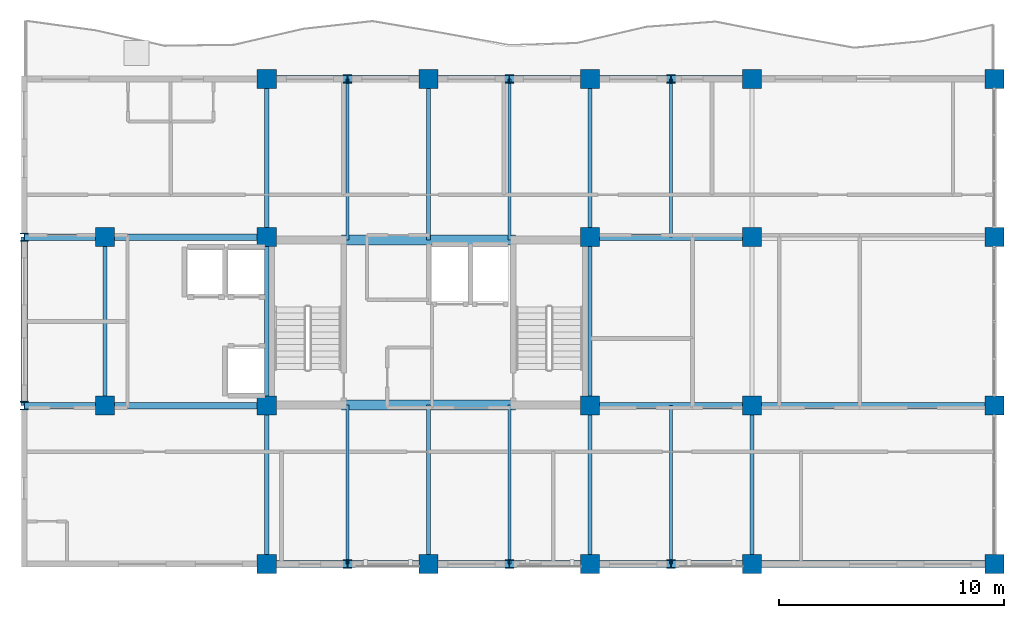
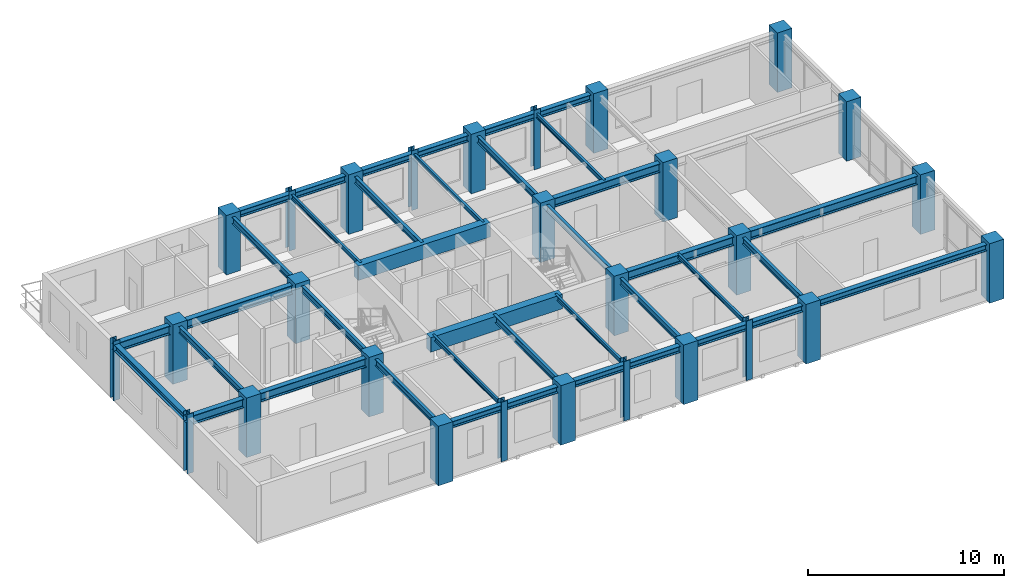
# One storey, part 1 of 11: 39 beams, 28 columns.
"""IFC4 building model written with IfcOpenShell, lengths in metres."""

from ifc_helpers import new_model, si_unit, direction, frame, origin, origin_2d, place, context, subcontext, project, spatial, rectangle, i_section, extrude, source, transform, mapped, material, material_profile, profile_set, type_object, element, save


model = new_model("IFC4")

# Units and contexts
model_context = context("Model", 3, precision=1e-05, world=origin(), true_north=direction((0.0, 1.0)))
body_context = subcontext(model_context, "Body", "Model", "MODEL_VIEW")
ifc_project = project(units=[si_unit("LENGTHUNIT", "METRE"), si_unit("AREAUNIT", "SQUARE_METRE"), si_unit("VOLUMEUNIT", "CUBIC_METRE"), si_unit("PLANEANGLEUNIT", "RADIAN"), si_unit("MASSUNIT", "GRAM", prefix="KILO")], contexts=[model_context])

# Site, building, storey
site_placement = place(None, origin())
site = spatial("IfcSite", under=ifc_project, at=site_placement, CompositionType="ELEMENT")
building_placement = place(site_placement, origin())
building = spatial("IfcBuilding", under=site, at=building_placement, Name="Kaliganga Portal Commons", CompositionType="ELEMENT")
storey_placement = place(building_placement, frame((0.0, 0.0, 264.699951171875)))
storey = spatial("IfcBuildingStorey", under=building, at=storey_placement, Name="L68", CompositionType="ELEMENT", Elevation=264.699951171875)

# Columns
ifc_material_1 = material(Name="Concrete C50/60", Category="concrete")
ifc_material_profile_1 = material_profile(ifc_material_1, rectangle(XDim=0.85009765625, YDim=0.85009765625, at=origin_2d()), Name="RC 850x850")
ifc_profile_set_1 = profile_set([ifc_material_profile_1], Name="Concrete C50/60")
column_type_1 = type_object("IfcColumnType", Name="COL-MEGA-Z5", PredefinedType="COLUMN", material=ifc_profile_set_1)
shared_shape_1 = source(origin(), body_context, "Body", "SweptSolid", [
    extrude(rectangle(XDim=0.85009765625, YDim=0.85009765625, at=origin_2d()), origin(), (0.0, 0.0, 1.0), 3.699951171875),
])
for number, where, z_axis, x_axis, name in (
    (1, (7.199951171875, 28.64990234375, 0.0), (0.0, 0.0, 1.0), (1.0, 0.0, 0.0), "Column MC-06 L68"),
    (2, (7.199951171875, 36.14990234375, 0.0), (0.0, 0.0, 1.0), (1.0, 0.0, 0.0), "Column MC-06 L68"),
    (3, (14.39990234375, 21.60009765625, 0.0), (0.0, 0.0, 1.0), (1.0, 0.0, 0.0), "Column MC-06 L68"),
    (4, (14.39990234375, 28.64990234375, 0.0), (0.0, 0.0, 1.0), (1.0, 0.0, 0.0), "Column MC-06 L68"),
    (5, (14.39990234375, 36.14990234375, 0.0), (0.0, 0.0, 1.0), (1.0, 0.0, 0.0), "Column MC-06 L68"),
    (6, (14.39990234375, 43.199951171875, 0.0), (0.0, 0.0, 1.0), (1.0, 0.0, 0.0), "Column MC-06 L68"),
    (7, (21.60009765625, 21.60009765625, 0.0), (0.0, 0.0, 1.0), (1.0, 0.0, 0.0), "Column MC-06 L68"),
    (8, (21.60009765625, 43.199951171875, 0.0), (0.0, 0.0, 1.0), (1.0, 0.0, 0.0), "Column MC-06 L68"),
    (9, (28.800048828125, 21.60009765625, 0.0), (0.0, 0.0, 1.0), (1.0, 0.0, 0.0), "Column MC-06 L68"),
    (10, (28.800048828125, 28.64990234375, 0.0), (0.0, 0.0, 1.0), (1.0, 0.0, 0.0), "Column MC-06 L68"),
    (11, (28.800048828125, 36.14990234375, 0.0), (0.0, 0.0, 1.0), (1.0, 0.0, 0.0), "Column MC-06 L68"),
    (12, (28.800048828125, 43.199951171875, 0.0), (0.0, 0.0, 1.0), (1.0, 0.0, 0.0), "Column MC-06 L68"),
    (13, (36.0, 21.60009765625, 0.0), (0.0, 0.0, 1.0), (1.0, 0.0, 0.0), "Column MC-06 L68"),
    (14, (36.0, 43.199951171875, 0.0), (0.0, 0.0, 1.0), (1.0, 0.0, 0.0), "Column MC-06 L68"),
    (15, (36.0, 28.64990234375, 0.0), (0.0, 0.0, 1.0), (1.0, 0.0, 0.0), "Column MC-06 L68"),
    (16, (36.0, 36.14990234375, 0.0), (0.0, 0.0, 1.0), (1.0, 0.0, 0.0), "Column MC-06 L68"),
    (17, (46.800048828125, 21.60009765625, 0.0), (0.0, 0.0, 1.0), (1.0, 0.0, 0.0), "Column MC-06 L68"),
    (18, (46.800048828125, 28.64990234375, 0.0), (0.0, 0.0, 1.0), (1.0, 0.0, 0.0), "Column MC-06 L68"),
    (19, (46.800048828125, 36.14990234375, 0.0), (0.0, 0.0, 1.0), (1.0, 0.0, 0.0), "Column MC-06 L68"),
    (20, (46.800048828125, 43.199951171875, 0.0), (0.0, 0.0, 1.0), (1.0, 0.0, 0.0), "Column MC-06 L68"),
):
    element("IfcColumn", number, at=place(storey_placement, frame(where, z_axis=z_axis, x_axis=x_axis)), inside=storey, type_object=column_type_1, Name=name, PredefinedType="COLUMN", context=body_context, shape_type="MappedRepresentation", body=[
        mapped(shared_shape_1, transform((0.0, 0.0, 0.0), x_axis=(1.0, 0.0, 0.0), y_axis=(0.0, 1.0, 0.0), z_axis=(0.0, 0.0, 1.0), scale=1.0)),
    ])
ifc_material_2 = material(Name="Structural steel S355J2", Category="steel")
ifc_material_profile_2 = material_profile(ifc_material_2, i_section(OverallWidth=0.3740234375, OverallDepth=0.3720703125, WebThickness=0.014892578125, FlangeThickness=0.02587890625, FilletRadius=0.014892578125, at=origin_2d()), Name="HD 360x196")
ifc_profile_set_2 = profile_set([ifc_material_profile_2], Name="Structural steel S355J2 wide-flange")
column_type_2 = type_object("IfcColumnType", Name="COL-TUBE-B5", PredefinedType="COLUMN", material=ifc_profile_set_2)
shared_shape_2 = source(origin(), body_context, "Body", "SweptSolid", [
    extrude(i_section(OverallWidth=0.3740234375, OverallDepth=0.3720703125, WebThickness=0.014892578125, FlangeThickness=0.02587890625, FilletRadius=0.014892578125, at=origin_2d()), origin(), (0.0, 0.0, 1.0), 3.699951171875),
])
for number, where, z_axis, x_axis, name in (
    (21, (3.60009765625, 28.64990234375, 0.0), (0.0, 0.0, 1.0), (1.0, 0.0, 0.0), "Column TC-05 L68"),
    (22, (3.60009765625, 36.14990234375, 0.0), (0.0, 0.0, 1.0), (1.0, 0.0, 0.0), "Column TC-05 L68"),
    (23, (18.0, 21.60009765625, 0.0), (0.0, 0.0, 1.0), (1.0, 0.0, 0.0), "Column TC-05 L68"),
    (24, (18.0, 43.199951171875, 0.0), (0.0, 0.0, 1.0), (1.0, 0.0, 0.0), "Column TC-05 L68"),
    (25, (25.199951171875, 21.60009765625, 0.0), (0.0, 0.0, 1.0), (1.0, 0.0, 0.0), "Column TC-05 L68"),
    (26, (25.199951171875, 43.199951171875, 0.0), (0.0, 0.0, 1.0), (1.0, 0.0, 0.0), "Column TC-05 L68"),
    (27, (32.39990234375, 21.60009765625, 0.0), (0.0, 0.0, 1.0), (1.0, 0.0, 0.0), "Column TC-05 L68"),
    (28, (32.39990234375, 43.199951171875, 0.0), (0.0, 0.0, 1.0), (1.0, 0.0, 0.0), "Column TC-05 L68"),
):
    element("IfcColumn", number, at=place(storey_placement, frame(where, z_axis=z_axis, x_axis=x_axis)), inside=storey, type_object=column_type_2, Name=name, PredefinedType="COLUMN", context=body_context, shape_type="MappedRepresentation", body=[
        mapped(shared_shape_2, transform((0.0, 0.0, 0.0), x_axis=(1.0, 0.0, 0.0), y_axis=(0.0, 1.0, 0.0), z_axis=(0.0, 0.0, 1.0), scale=1.0)),
    ])

# Beams
ifc_material_profile_3 = material_profile(ifc_material_1, rectangle(XDim=0.449951171875, YDim=0.89990234375, at=origin_2d()), Name="RC 450x900")
ifc_profile_set_3 = profile_set([ifc_material_profile_3], Name="Concrete C50/60")
beam_type_1 = type_object("IfcBeamType", Name="BM-CPL-900", PredefinedType="LINTEL", material=ifc_profile_set_3)
shared_shape_3 = source(origin(), body_context, "Body", "SweptSolid", [
    extrude(rectangle(XDim=0.449951171875, YDim=0.89990234375, at=origin_2d()), origin(), (0.0, 0.0, 1.0), 7.739990234375),
])
for number, where, z_axis, x_axis, name in (
    (29, (17.72998046875, 28.675048828125, 3.025146484375), (1.0, 0.0, 0.0), (0.0, 1.0, 0.0), "BM CPL COREA L68 S"),
    (30, (17.72998046875, 36.02490234375, 3.025146484375), (1.0, 0.0, 0.0), (0.0, 1.0, 0.0), "BM CPL COREA L68 N"),
):
    element("IfcBeam", number, at=place(storey_placement, frame(where, z_axis=z_axis, x_axis=x_axis)), inside=storey, type_object=beam_type_1, Name=name, PredefinedType="LINTEL", context=body_context, shape_type="MappedRepresentation", body=[
        mapped(shared_shape_3, transform((0.0, 0.0, 0.0), x_axis=(1.0, 0.0, 0.0), y_axis=(0.0, 1.0, 0.0), z_axis=(0.0, 0.0, 1.0), scale=1.0)),
    ])
ifc_material_profile_4 = material_profile(ifc_material_2, i_section(OverallWidth=0.300048828125, OverallDepth=0.39990234375, WebThickness=0.013427734375, FlangeThickness=0.02392578125, FilletRadius=0.027099609375, at=origin_2d()), Name="HE 400 B")
ifc_profile_set_4 = profile_set([ifc_material_profile_4], Name="Structural steel S355J2 wide-flange")
beam_type_2 = type_object("IfcBeamType", Name="BM-SPAND-400", PredefinedType="SPANDREL", material=ifc_profile_set_4)
shared_shape_4 = source(origin(), body_context, "Body", "SweptSolid", [
    extrude(i_section(OverallWidth=0.300048828125, OverallDepth=0.39990234375, WebThickness=0.013427734375, FlangeThickness=0.02392578125, FilletRadius=0.027099609375, at=origin_2d()), origin(), (0.0, 0.0, 1.0), 3.60009765625),
])
for number, where, z_axis, x_axis, name in (
    (31, (14.39990234375, 43.199951171875, 3.275146484375), (1.0, 0.0, 0.0), (0.0, 1.0, 0.0), "BM SP L68 AN 1"),
    (32, (18.0, 43.199951171875, 3.275146484375), (1.0, 0.0, 0.0), (0.0, 1.0, 0.0), "BM SP L68 AN 2"),
    (33, (25.199951171875, 43.199951171875, 3.275146484375), (1.0, 0.0, 0.0), (0.0, 1.0, 0.0), "BM SP L68 AN 4"),
    (34, (32.39990234375, 43.199951171875, 3.275146484375), (1.0, 0.0, 0.0), (0.0, 1.0, 0.0), "BM SP L68 AN 6"),
    (35, (14.39990234375, 21.60009765625, 3.275146484375), (1.0, 0.0, 0.0), (0.0, 1.0, 0.0), "BM SP L68 AS 1"),
    (36, (18.0, 21.60009765625, 3.275146484375), (1.0, 0.0, 0.0), (0.0, 1.0, 0.0), "BM SP L68 AS 2"),
    (37, (25.199951171875, 21.60009765625, 3.275146484375), (1.0, 0.0, 0.0), (0.0, 1.0, 0.0), "BM SP L68 AS 4"),
    (38, (32.39990234375, 21.60009765625, 3.275146484375), (1.0, 0.0, 0.0), (0.0, 1.0, 0.0), "BM SP L68 AS 6"),
):
    element("IfcBeam", number, at=place(storey_placement, frame(where, z_axis=z_axis, x_axis=x_axis)), inside=storey, type_object=beam_type_2, Name=name, PredefinedType="SPANDREL", context=body_context, shape_type="MappedRepresentation", body=[
        mapped(shared_shape_4, transform((0.0, 0.0, 0.0), x_axis=(1.0, 0.0, 0.0), y_axis=(0.0, 1.0, 0.0), z_axis=(0.0, 0.0, 1.0), scale=1.0)),
    ])
shared_shape_5 = source(origin(), body_context, "Body", "SweptSolid", [
    extrude(i_section(OverallWidth=0.300048828125, OverallDepth=0.39990234375, WebThickness=0.013427734375, FlangeThickness=0.02392578125, FilletRadius=0.027099609375, at=origin_2d()), origin(), (0.0, 0.0, 1.0), 3.599853515625),
])
for number, where, z_axis, x_axis, name in (
    (39, (21.60009765625, 43.199951171875, 3.275146484375), (1.0, 0.0, 0.0), (0.0, 1.0, 0.0), "BM SP L68 AN 3"),
    (40, (28.800048828125, 43.199951171875, 3.275146484375), (1.0, 0.0, 0.0), (0.0, 1.0, 0.0), "BM SP L68 AN 5"),
    (41, (21.60009765625, 21.60009765625, 3.275146484375), (1.0, 0.0, 0.0), (0.0, 1.0, 0.0), "BM SP L68 AS 3"),
    (42, (28.800048828125, 21.60009765625, 3.275146484375), (1.0, 0.0, 0.0), (0.0, 1.0, 0.0), "BM SP L68 AS 5"),
):
    element("IfcBeam", number, at=place(storey_placement, frame(where, z_axis=z_axis, x_axis=x_axis)), inside=storey, type_object=beam_type_2, Name=name, PredefinedType="SPANDREL", context=body_context, shape_type="MappedRepresentation", body=[
        mapped(shared_shape_5, transform((0.0, 0.0, 0.0), x_axis=(1.0, 0.0, 0.0), y_axis=(0.0, 1.0, 0.0), z_axis=(0.0, 0.0, 1.0), scale=1.0)),
    ])
shared_shape_6 = source(origin(), body_context, "Body", "SweptSolid", [
    extrude(i_section(OverallWidth=0.300048828125, OverallDepth=0.39990234375, WebThickness=0.013427734375, FlangeThickness=0.02392578125, FilletRadius=0.027099609375, at=origin_2d()), origin(), (0.0, 0.0, 1.0), 10.800048828125),
])
beam_1_placement = place(storey_placement, frame((36.0, 21.60009765625, 3.275146484375), z_axis=(1.0, 0.0, 0.0), x_axis=(0.0, 1.0, 0.0)))
element("IfcBeam", 43, at=beam_1_placement, inside=storey, type_object=beam_type_2, Name="BM SP L68 AS 7", PredefinedType="SPANDREL", context=body_context, shape_type="MappedRepresentation", body=[
    mapped(shared_shape_6, transform((0.0, 0.0, 0.0), x_axis=(1.0, 0.0, 0.0), y_axis=(0.0, 1.0, 0.0), z_axis=(0.0, 0.0, 1.0), scale=1.0)),
])
ifc_material_profile_5 = material_profile(ifc_material_2, i_section(OverallWidth=0.300048828125, OverallDepth=0.550048828125, WebThickness=0.014892578125, FlangeThickness=0.029052734375, FilletRadius=0.027099609375, at=origin_2d()), Name="HE 550 B")
ifc_profile_set_5 = profile_set([ifc_material_profile_5], Name="Structural steel S355J2 wide-flange")
beam_type_3 = type_object("IfcBeamType", Name="BM-GIRD-550", PredefinedType="USERDEFINED", material=ifc_profile_set_5)
shared_shape_7 = source(origin(), body_context, "Body", "SweptSolid", [
    extrude(i_section(OverallWidth=0.300048828125, OverallDepth=0.550048828125, WebThickness=0.014892578125, FlangeThickness=0.029052734375, FilletRadius=0.027099609375, at=origin_2d()), origin(), (0.0, 0.0, 1.0), 7.199951171875),
])
for number, where, z_axis, x_axis, name in (
    (44, (7.199951171875, 28.64990234375, 3.199951171875), (1.0, 0.0, 0.0), (0.0, 1.0, 0.0), "BM G L68 WAH_S 2"),
    (45, (7.199951171875, 36.14990234375, 3.199951171875), (1.0, 0.0, 0.0), (0.0, 1.0, 0.0), "BM G L68 WAH_N 2"),
    (46, (28.800048828125, 28.64990234375, 3.199951171875), (1.0, 0.0, 0.0), (0.0, 1.0, 0.0), "BM G L68 WAE_S 1"),
    (47, (28.800048828125, 36.14990234375, 3.199951171875), (1.0, 0.0, 0.0), (0.0, 1.0, 0.0), "BM G L68 WAE_N 1"),
):
    element("IfcBeam", number, at=place(storey_placement, frame(where, z_axis=z_axis, x_axis=x_axis)), inside=storey, type_object=beam_type_3, Name=name, ObjectType="GIRDER", PredefinedType="USERDEFINED", context=body_context, shape_type="MappedRepresentation", body=[
        mapped(shared_shape_7, transform((0.0, 0.0, 0.0), x_axis=(1.0, 0.0, 0.0), y_axis=(0.0, 1.0, 0.0), z_axis=(0.0, 0.0, 1.0), scale=1.0)),
    ])
shared_shape_8 = source(origin(), body_context, "Body", "SweptSolid", [
    extrude(i_section(OverallWidth=0.300048828125, OverallDepth=0.550048828125, WebThickness=0.014892578125, FlangeThickness=0.029052734375, FilletRadius=0.027099609375, at=origin_2d()), origin(), (0.0, 0.0, 1.0), 10.800048828125),
])
beam_2_placement = place(storey_placement, frame((36.0, 28.64990234375, 3.199951171875), z_axis=(1.0, 0.0, 0.0), x_axis=(0.0, 1.0, 0.0)))
element("IfcBeam", 48, at=beam_2_placement, inside=storey, type_object=beam_type_3, Name="BM G L68 WAE_S 2", ObjectType="GIRDER", PredefinedType="USERDEFINED", context=body_context, shape_type="MappedRepresentation", body=[
    mapped(shared_shape_8, transform((0.0, 0.0, 0.0), x_axis=(1.0, 0.0, 0.0), y_axis=(0.0, 1.0, 0.0), z_axis=(0.0, 0.0, 1.0), scale=1.0)),
])
shared_shape_9 = source(origin(), body_context, "Body", "SweptSolid", [
    extrude(i_section(OverallWidth=0.300048828125, OverallDepth=0.550048828125, WebThickness=0.014892578125, FlangeThickness=0.029052734375, FilletRadius=0.027099609375, at=origin_2d()), origin(), (0.0, 0.0, 1.0), 3.599853515625),
])
for number, where, z_axis, x_axis, name in (
    (49, (3.60009765625, 28.64990234375, 3.199951171875), (1.0, 0.0, 0.0), (0.0, 1.0, 0.0), "BM G L68 WAH_S 1"),
    (50, (3.60009765625, 36.14990234375, 3.199951171875), (1.0, 0.0, 0.0), (0.0, 1.0, 0.0), "BM G L68 WAH_N 1"),
):
    element("IfcBeam", number, at=place(storey_placement, frame(where, z_axis=z_axis, x_axis=x_axis)), inside=storey, type_object=beam_type_3, Name=name, ObjectType="GIRDER", PredefinedType="USERDEFINED", context=body_context, shape_type="MappedRepresentation", body=[
        mapped(shared_shape_9, transform((0.0, 0.0, 0.0), x_axis=(1.0, 0.0, 0.0), y_axis=(0.0, 1.0, 0.0), z_axis=(0.0, 0.0, 1.0), scale=1.0)),
    ])
shared_shape_10 = source(origin(), body_context, "Body", "SweptSolid", [
    extrude(i_section(OverallWidth=0.300048828125, OverallDepth=0.39990234375, WebThickness=0.013427734375, FlangeThickness=0.02392578125, FilletRadius=0.027099609375, at=origin_2d()), origin(), (0.0, 0.0, 1.0), 7.5),
])
beam_3_placement = place(storey_placement, frame((3.60009765625, 28.64990234375, 3.275146484375), z_axis=(0.0, 1.0, 0.0), x_axis=(-1.0, 0.0, 0.0)))
element("IfcBeam", 51, at=beam_3_placement, inside=storey, type_object=beam_type_2, Name="BM SP L68 AW", PredefinedType="SPANDREL", context=body_context, shape_type="MappedRepresentation", body=[
    mapped(shared_shape_10, transform((0.0, 0.0, 0.0), x_axis=(1.0, 0.0, 0.0), y_axis=(0.0, 1.0, 0.0), z_axis=(0.0, 0.0, 1.0), scale=1.0)),
])
ifc_material_profile_6 = material_profile(ifc_material_2, i_section(OverallWidth=0.135009765625, OverallDepth=0.27001953125, WebThickness=0.006591796875, FlangeThickness=0.01025390625, FilletRadius=0.014892578125, at=origin_2d()), Name="IPE 270")
ifc_profile_set_6 = profile_set([ifc_material_profile_6], Name="Structural steel S355J2 wide-flange")
beam_type_4 = type_object("IfcBeamType", Name="BM-JST-270", PredefinedType="JOIST", material=ifc_profile_set_6)
shared_shape_11 = source(origin(), body_context, "Body", "SweptSolid", [
    extrude(i_section(OverallWidth=0.135009765625, OverallDepth=0.27001953125, WebThickness=0.006591796875, FlangeThickness=0.01025390625, FilletRadius=0.014892578125, at=origin_2d()), origin(), (0.0, 0.0, 1.0), 7.175048828125),
])
for number, where, z_axis, x_axis, name in (
    (52, (18.0, 36.02490234375, 3.340087890625), (0.0, 1.0, 0.0), (-1.0, 0.0, 0.0), "BM G L68 AN180"),
    (53, (25.199951171875, 36.02490234375, 3.340087890625), (0.0, 1.0, 0.0), (-1.0, 0.0, 0.0), "BM G L68 AN252"),
):
    element("IfcBeam", number, at=place(storey_placement, frame(where, z_axis=z_axis, x_axis=x_axis)), inside=storey, type_object=beam_type_4, Name=name, PredefinedType="JOIST", context=body_context, shape_type="MappedRepresentation", body=[
        mapped(shared_shape_11, transform((0.0, 0.0, 0.0), x_axis=(1.0, 0.0, 0.0), y_axis=(0.0, 1.0, 0.0), z_axis=(0.0, 0.0, 1.0), scale=1.0)),
    ])
shared_shape_12 = source(origin(), body_context, "Body", "SweptSolid", [
    extrude(i_section(OverallWidth=0.135009765625, OverallDepth=0.27001953125, WebThickness=0.006591796875, FlangeThickness=0.01025390625, FilletRadius=0.014892578125, at=origin_2d()), origin(), (0.0, 0.0, 1.0), 7.074951171875),
])
for number, where, z_axis, x_axis, name in (
    (54, (18.0, 21.60009765625, 3.340087890625), (0.0, 1.0, 0.0), (-1.0, 0.0, 0.0), "BM G L68 AS180"),
    (55, (25.199951171875, 21.60009765625, 3.340087890625), (0.0, 1.0, 0.0), (-1.0, 0.0, 0.0), "BM G L68 AS252"),
):
    element("IfcBeam", number, at=place(storey_placement, frame(where, z_axis=z_axis, x_axis=x_axis)), inside=storey, type_object=beam_type_4, Name=name, PredefinedType="JOIST", context=body_context, shape_type="MappedRepresentation", body=[
        mapped(shared_shape_12, transform((0.0, 0.0, 0.0), x_axis=(1.0, 0.0, 0.0), y_axis=(0.0, 1.0, 0.0), z_axis=(0.0, 0.0, 1.0), scale=1.0)),
    ])
shared_shape_13 = source(origin(), body_context, "Body", "SweptSolid", [
    extrude(i_section(OverallWidth=0.135009765625, OverallDepth=0.27001953125, WebThickness=0.006591796875, FlangeThickness=0.01025390625, FilletRadius=0.014892578125, at=origin_2d()), origin(), (0.0, 0.0, 1.0), 7.050048828125),
])
beam_4_placement = place(storey_placement, frame((32.39990234375, 36.14990234375, 3.340087890625), z_axis=(0.0, 1.0, 0.0), x_axis=(-1.0, 0.0, 0.0)))
element("IfcBeam", 56, at=beam_4_placement, inside=storey, type_object=beam_type_4, Name="BM G L68 AN324", PredefinedType="JOIST", context=body_context, shape_type="MappedRepresentation", body=[
    mapped(shared_shape_13, transform((0.0, 0.0, 0.0), x_axis=(1.0, 0.0, 0.0), y_axis=(0.0, 1.0, 0.0), z_axis=(0.0, 0.0, 1.0), scale=1.0)),
])
shared_shape_14 = source(origin(), body_context, "Body", "SweptSolid", [
    extrude(i_section(OverallWidth=0.135009765625, OverallDepth=0.27001953125, WebThickness=0.006591796875, FlangeThickness=0.01025390625, FilletRadius=0.014892578125, at=origin_2d()), origin(), (0.0, 0.0, 1.0), 7.0498046875),
])
beam_5_placement = place(storey_placement, frame((32.39990234375, 21.60009765625, 3.340087890625), z_axis=(0.0, 1.0, 0.0), x_axis=(-1.0, 0.0, 0.0)))
element("IfcBeam", 57, at=beam_5_placement, inside=storey, type_object=beam_type_4, Name="BM G L68 AS324", PredefinedType="JOIST", context=body_context, shape_type="MappedRepresentation", body=[
    mapped(shared_shape_14, transform((0.0, 0.0, 0.0), x_axis=(1.0, 0.0, 0.0), y_axis=(0.0, 1.0, 0.0), z_axis=(0.0, 0.0, 1.0), scale=1.0)),
])
ifc_material_profile_7 = material_profile(ifc_material_2, i_section(OverallWidth=0.179931640625, OverallDepth=0.39990234375, WebThickness=0.008544921875, FlangeThickness=0.013427734375, FilletRadius=0.02099609375, at=origin_2d()), Name="IPE 400")
ifc_profile_set_7 = profile_set([ifc_material_profile_7], Name="Structural steel S355J2 wide-flange")
beam_type_5 = type_object("IfcBeamType", Name="BM-FLR-400", PredefinedType="BEAM", material=ifc_profile_set_7)
shared_shape_15 = source(origin(), body_context, "Body", "SweptSolid", [
    extrude(i_section(OverallWidth=0.179931640625, OverallDepth=0.39990234375, WebThickness=0.008544921875, FlangeThickness=0.013427734375, FilletRadius=0.02099609375, at=origin_2d()), origin(), (0.0, 0.0, 1.0), 7.5),
])
for number, where, z_axis, x_axis, name in (
    (58, (7.199951171875, 28.64990234375, 3.275146484375), (0.0, 1.0, 0.0), (-1.0, 0.0, 0.0), "BM G L68 AW72"),
    (59, (14.39990234375, 28.64990234375, 3.275146484375), (0.0, 1.0, 0.0), (-1.0, 0.0, 0.0), "BM G L68 AM144"),
    (60, (28.800048828125, 28.64990234375, 3.275146484375), (0.0, 1.0, 0.0), (-1.0, 0.0, 0.0), "BM G L68 AM288"),
):
    element("IfcBeam", number, at=place(storey_placement, frame(where, z_axis=z_axis, x_axis=x_axis)), inside=storey, type_object=beam_type_5, Name=name, PredefinedType="BEAM", context=body_context, shape_type="MappedRepresentation", body=[
        mapped(shared_shape_15, transform((0.0, 0.0, 0.0), x_axis=(1.0, 0.0, 0.0), y_axis=(0.0, 1.0, 0.0), z_axis=(0.0, 0.0, 1.0), scale=1.0)),
    ])
shared_shape_16 = source(origin(), body_context, "Body", "SweptSolid", [
    extrude(i_section(OverallWidth=0.179931640625, OverallDepth=0.39990234375, WebThickness=0.008544921875, FlangeThickness=0.013427734375, FilletRadius=0.02099609375, at=origin_2d()), origin(), (0.0, 0.0, 1.0), 7.050048828125),
])
for number, where, z_axis, x_axis, name in (
    (61, (14.39990234375, 36.14990234375, 3.275146484375), (0.0, 1.0, 0.0), (-1.0, 0.0, 0.0), "BM G L68 AN144"),
    (62, (28.800048828125, 36.14990234375, 3.275146484375), (0.0, 1.0, 0.0), (-1.0, 0.0, 0.0), "BM G L68 AN288"),
):
    element("IfcBeam", number, at=place(storey_placement, frame(where, z_axis=z_axis, x_axis=x_axis)), inside=storey, type_object=beam_type_5, Name=name, PredefinedType="BEAM", context=body_context, shape_type="MappedRepresentation", body=[
        mapped(shared_shape_16, transform((0.0, 0.0, 0.0), x_axis=(1.0, 0.0, 0.0), y_axis=(0.0, 1.0, 0.0), z_axis=(0.0, 0.0, 1.0), scale=1.0)),
    ])
shared_shape_17 = source(origin(), body_context, "Body", "SweptSolid", [
    extrude(i_section(OverallWidth=0.179931640625, OverallDepth=0.39990234375, WebThickness=0.008544921875, FlangeThickness=0.013427734375, FilletRadius=0.02099609375, at=origin_2d()), origin(), (0.0, 0.0, 1.0), 7.0498046875),
])
for number, where, z_axis, x_axis, name in (
    (63, (14.39990234375, 21.60009765625, 3.275146484375), (0.0, 1.0, 0.0), (-1.0, 0.0, 0.0), "BM G L68 AS144"),
    (64, (28.800048828125, 21.60009765625, 3.275146484375), (0.0, 1.0, 0.0), (-1.0, 0.0, 0.0), "BM G L68 AS288"),
    (65, (36.0, 21.60009765625, 3.275146484375), (0.0, 1.0, 0.0), (-1.0, 0.0, 0.0), "BM G L68 AS360"),
):
    element("IfcBeam", number, at=place(storey_placement, frame(where, z_axis=z_axis, x_axis=x_axis)), inside=storey, type_object=beam_type_5, Name=name, PredefinedType="BEAM", context=body_context, shape_type="MappedRepresentation", body=[
        mapped(shared_shape_17, transform((0.0, 0.0, 0.0), x_axis=(1.0, 0.0, 0.0), y_axis=(0.0, 1.0, 0.0), z_axis=(0.0, 0.0, 1.0), scale=1.0)),
    ])
shared_shape_18 = source(origin(), body_context, "Body", "SweptSolid", [
    extrude(i_section(OverallWidth=0.179931640625, OverallDepth=0.39990234375, WebThickness=0.008544921875, FlangeThickness=0.013427734375, FilletRadius=0.02099609375, at=origin_2d()), origin(), (0.0, 0.0, 1.0), 7.175048828125),
])
beam_6_placement = place(storey_placement, frame((21.60009765625, 36.02490234375, 3.275146484375), z_axis=(0.0, 1.0, 0.0), x_axis=(-1.0, 0.0, 0.0)))
element("IfcBeam", 66, at=beam_6_placement, inside=storey, type_object=beam_type_5, Name="BM G L68 AN216", PredefinedType="BEAM", context=body_context, shape_type="MappedRepresentation", body=[
    mapped(shared_shape_18, transform((0.0, 0.0, 0.0), x_axis=(1.0, 0.0, 0.0), y_axis=(0.0, 1.0, 0.0), z_axis=(0.0, 0.0, 1.0), scale=1.0)),
])
shared_shape_19 = source(origin(), body_context, "Body", "SweptSolid", [
    extrude(i_section(OverallWidth=0.179931640625, OverallDepth=0.39990234375, WebThickness=0.008544921875, FlangeThickness=0.013427734375, FilletRadius=0.02099609375, at=origin_2d()), origin(), (0.0, 0.0, 1.0), 7.074951171875),
])
beam_7_placement = place(storey_placement, frame((21.60009765625, 21.60009765625, 3.275146484375), z_axis=(0.0, 1.0, 0.0), x_axis=(-1.0, 0.0, 0.0)))
element("IfcBeam", 67, at=beam_7_placement, inside=storey, type_object=beam_type_5, Name="BM G L68 AS216", PredefinedType="BEAM", context=body_context, shape_type="MappedRepresentation", body=[
    mapped(shared_shape_19, transform((0.0, 0.0, 0.0), x_axis=(1.0, 0.0, 0.0), y_axis=(0.0, 1.0, 0.0), z_axis=(0.0, 0.0, 1.0), scale=1.0)),
])

save(model, "model.ifc")
